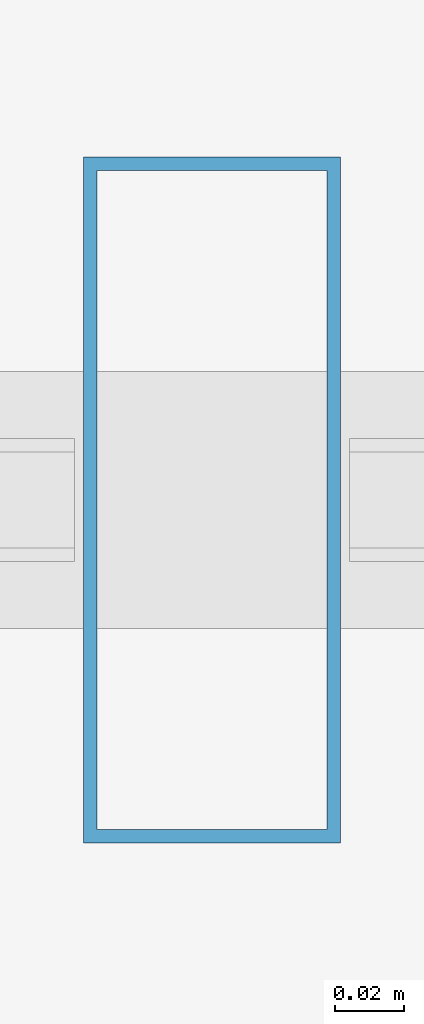
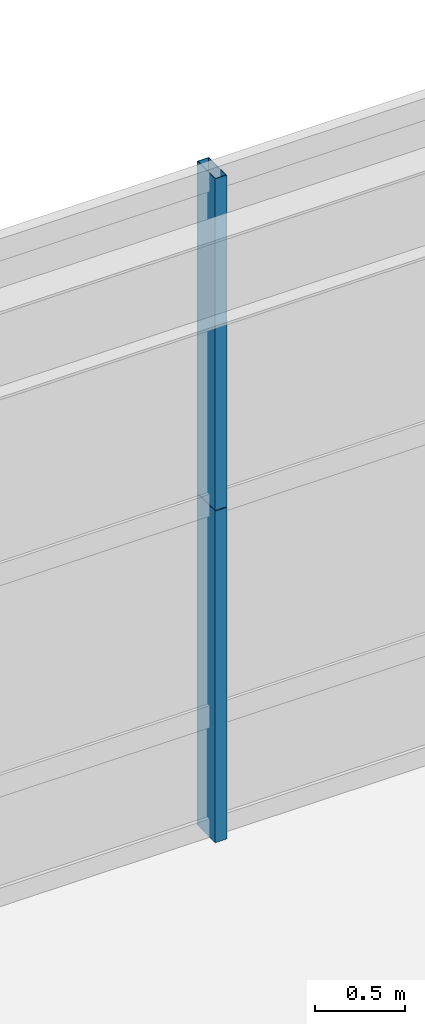
# One storey, part 21 of 38: 2 members, 1 element without a shape of its own.
"""IFC4 building model written with IfcOpenShell, lengths in metres."""

from ifc_helpers import new_model, si_unit, direction, frame, origin, origin_2d, place, context, subcontext, project, spatial, hollow_rectangle, extrude, source, transform, mapped, material, layer, layer_set, material_profile, profile_set, type_object, element, aggregate, save


model = new_model("IFC4")

# Units and contexts
model_context = context("Model", 3, precision=1e-05, world=origin(), true_north=direction((0.0, 1.0)))
body_context = subcontext(model_context, "Body", "Model", "MODEL_VIEW")
ifc_project = project(units=[si_unit("LENGTHUNIT", "METRE"), si_unit("AREAUNIT", "SQUARE_METRE"), si_unit("VOLUMEUNIT", "CUBIC_METRE"), si_unit("PLANEANGLEUNIT", "RADIAN"), si_unit("MASSUNIT", "GRAM", prefix="KILO"), si_unit("THERMODYNAMICTEMPERATUREUNIT", "KELVIN"), si_unit("POWERUNIT", "WATT")], contexts=[model_context])

# Site, building, storey
site_placement = place(None, origin())
site = spatial("IfcSite", under=ifc_project, at=site_placement, CompositionType="ELEMENT")
building_placement = place(site_placement, origin())
building = spatial("IfcBuilding", under=site, at=building_placement, Name="Yuzanri Waterfront Tower", CompositionType="ELEMENT")
storey_placement = place(building_placement, frame((0.0, 0.0, 10.199951171875)))
storey = spatial("IfcBuildingStorey", under=building, at=storey_placement, Name="L03", CompositionType="ELEMENT", Elevation=10.199951171875)

# Curtain wall, members
ifc_material_1 = material(Name="Anodized Architectural Bronze", Category="metal")
ifc_layer = layer(ifc_material_1, 0.159912109375)
ifc_layer_set = layer_set([ifc_layer], Name="Anodized Architectural Bronze")
curtain_wall_type = type_object("IfcCurtainWallType", Name="Anodized Bronze Podium Waterfront Double-Height Unitized Curtain Wall 8400", PredefinedType="NOTDEFINED", material=ifc_layer_set)
curtain_wall_placement = place(storey_placement, origin())
curtain_wall = element("IfcCurtainWall", 1, at=curtain_wall_placement, inside=storey, type_object=curtain_wall_type, Name="L03 Curtain Wall CW-L03-N1", PredefinedType="NOTDEFINED")
ifc_material_2 = material(Name="Anodized Architectural Bronze", Category="metal")
ifc_material_profile = material_profile(ifc_material_2, hollow_rectangle(XDim=0.074951171875, YDim=0.199951171875, WallThickness=0.00390625, at=origin_2d()), Name="CWM 75x200")
ifc_profile_set = profile_set([ifc_material_profile], Name="Anodized Architectural Bronze")
member_type = type_object("IfcMemberType", Name="Anodized Bronze Primary Curtain-Wall Mullion 75x200", PredefinedType="MULLION", material=ifc_profile_set)
shared_shape = source(origin(), body_context, "Body", "SweptSolid", [
    extrude(hollow_rectangle(XDim=0.074951171875, YDim=0.199951171875, WallThickness=0.00390625, at=origin_2d()), origin(), (0.0, 0.0, 1.0), 2.258056640625),
])
member_1_placement = place(storey_placement, frame((26.25, 49.6201171875, 0.0), z_axis=(0.0, 0.0, 1.0), x_axis=(1.0, 0.0, 0.0)))
member_1 = element("IfcMember", 2, at=member_1_placement, type_object=member_type, Name="CW-L03-N1 Lower Mullion 01", PredefinedType="MULLION", context=body_context, shape_type="MappedRepresentation", body=[
    mapped(shared_shape, transform((0.0, 0.0, 0.0), scale=1.0)),
])
member_2_placement = place(storey_placement, frame((26.25, 49.6201171875, 2.261962890625), z_axis=(0.0, 0.0, 1.0), x_axis=(1.0, 0.0, 0.0)))
member_2 = element("IfcMember", 3, at=member_2_placement, type_object=member_type, Name="CW-L03-N1 Upper Mullion 01", PredefinedType="MULLION", context=body_context, shape_type="MappedRepresentation", body=[
    mapped(shared_shape, transform((0.0, 0.0, 0.0), scale=1.0)),
])
aggregate(curtain_wall, [member_1, member_2])

save(model, "model.ifc")
